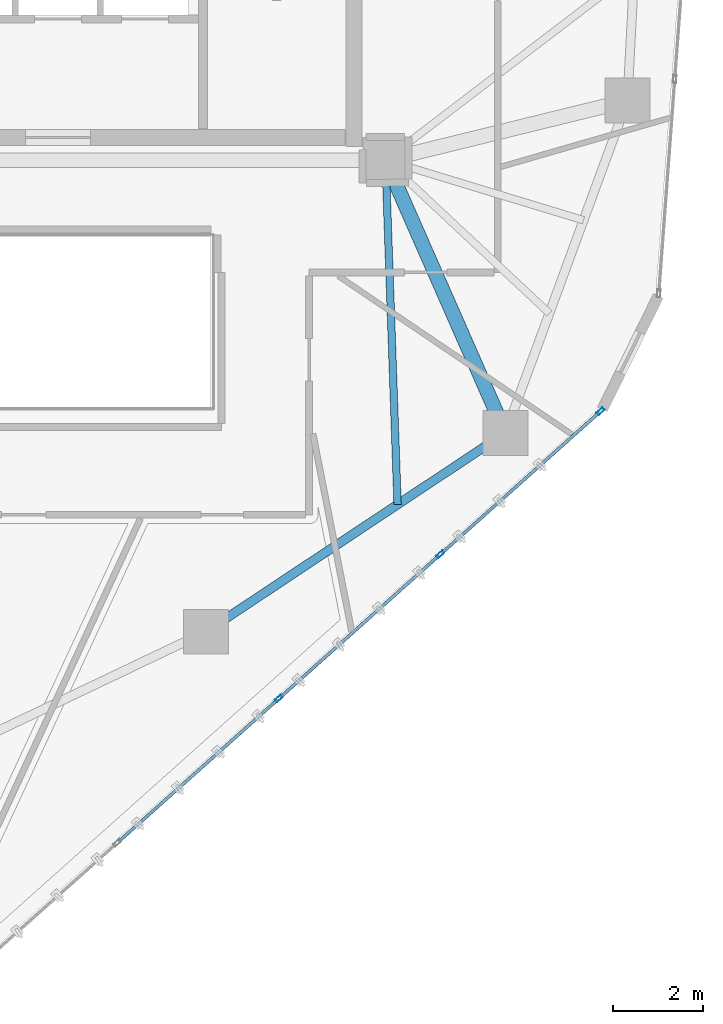
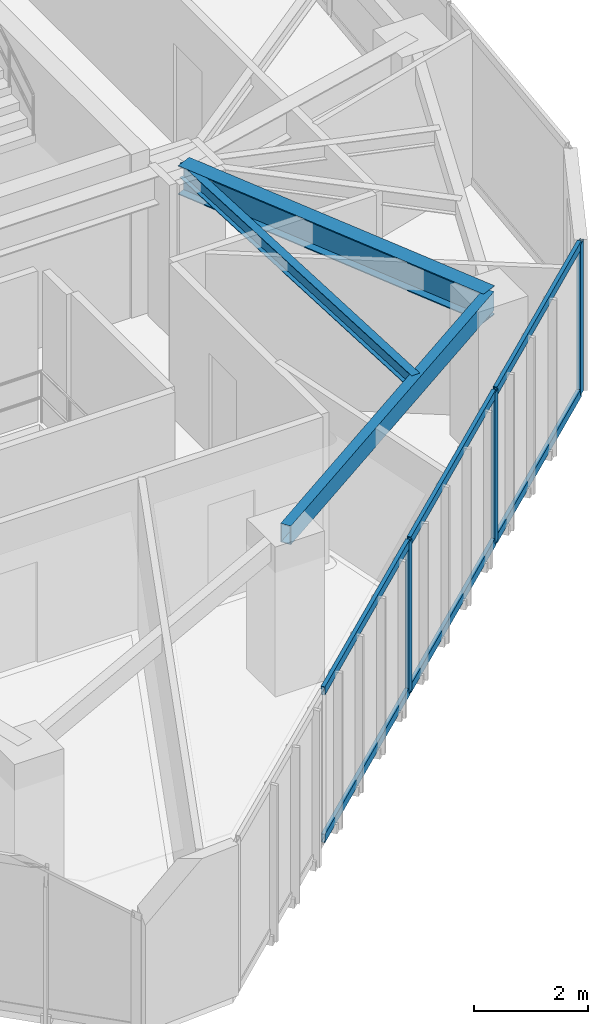
# One storey, part 5 of 19: 9 members, 3 beams, 1 element without a shape of its own.
"""IFC4 building model written with IfcOpenShell, lengths in metres."""

from ifc_helpers import new_model, si_unit, direction, frame, origin, origin_2d, place, context, subcontext, project, spatial, hollow_rectangle, i_section, extrude, source, transform, mapped, material, layer, layer_set, material_profile, profile_set, type_object, type_shapes, element, aggregate, save


model = new_model("IFC4")

# Units and contexts
model_context = context("Model", 3, precision=1e-05, world=origin(), true_north=direction((0.0, 1.0)))
body_context = subcontext(model_context, "Body", "Model", "MODEL_VIEW")
ifc_project = project(units=[si_unit("LENGTHUNIT", "METRE"), si_unit("AREAUNIT", "SQUARE_METRE"), si_unit("VOLUMEUNIT", "CUBIC_METRE"), si_unit("PLANEANGLEUNIT", "RADIAN"), si_unit("MASSUNIT", "GRAM", prefix="KILO")], contexts=[model_context])

# Site, building, storey
site_placement = place(None, origin())
site = spatial("IfcSite", under=ifc_project, at=site_placement, CompositionType="ELEMENT")
building_placement = place(site_placement, origin())
building = spatial("IfcBuilding", under=site, at=building_placement, Name="Talar Marvaseh", CompositionType="ELEMENT")
storey_placement = place(building_placement, frame((0.0, 0.0, 222.199951171875)))
storey = spatial("IfcBuildingStorey", under=building, at=storey_placement, Name="L58", CompositionType="ELEMENT", Elevation=222.199951171875)

# Beams
ifc_material_1 = material(Name="Steel S355", Category="steel")
ifc_material_profile_1 = material_profile(ifc_material_1, hollow_rectangle(XDim=0.199951171875, YDim=0.39990234375, WallThickness=0.013916015625, at=origin_2d()), Name="RHS400x200x14")
ifc_profile_set_1 = profile_set([ifc_material_profile_1], Name="Steel S355")
beam_type_1 = type_object("IfcBeamType", Name="Zone 3 Perimeter Spandrel Beam RHS400x200x14", PredefinedType="SPANDREL", material=ifc_profile_set_1)
beam_1_placement = place(storey_placement, frame((35.970947265625, 19.423095703125, 3.030029296875), z_axis=(-0.833127464163, -0.553081032452, 0.0), x_axis=(0.553081032452, -0.833127464163, 0.0)))
element("IfcBeam", 1, at=beam_1_placement, inside=storey, type_object=beam_type_1, Name="L58 Zone 3 Perimeter Spandrel Beam RHS400x200x14", PredefinedType="SPANDREL", context=body_context, shape_type="SweptSolid", body=[
    extrude(hollow_rectangle(XDim=0.199951171875, YDim=0.39990234375, WallThickness=0.013916015625, at=origin_2d()), origin(), (0.0, 0.0, 1.0), 8.00830078125),
])
ifc_material_profile_2 = material_profile(ifc_material_1, i_section(OverallWidth=0.324951171875, OverallDepth=0.615966796875, WebThickness=0.013916015625, FlangeThickness=0.021484375, at=origin_2d()), Name="W610x174")
ifc_profile_set_2 = profile_set([ifc_material_profile_2], Name="Steel S355")
beam_type_2 = type_object("IfcBeamType", Name="Zone 3 Radial Floor Girder W610x174", PredefinedType="BEAM", material=ifc_profile_set_2)
beam_2_placement = place(storey_placement, frame((35.970947265625, 19.423095703125, 2.922119140625), z_axis=(-0.402367581672, 0.91547819702, 0.0), x_axis=(-0.91547819702, -0.402367581672, 0.0)))
element("IfcBeam", 2, at=beam_2_placement, inside=storey, type_object=beam_type_2, Name="L58 Zone 3 Radial Floor Girder W610x174", PredefinedType="BEAM", context=body_context, shape_type="SweptSolid", body=[
    extrude(i_section(OverallWidth=0.324951171875, OverallDepth=0.615966796875, WebThickness=0.013916015625, FlangeThickness=0.021484375, at=origin_2d()), origin(), (0.0, 0.0, 1.0), 6.637939453125),
])
ifc_material_profile_3 = material_profile(ifc_material_1, i_section(OverallWidth=0.166015625, OverallDepth=0.31298828125, WebThickness=0.006591796875, FlangeThickness=0.01123046875, at=origin_2d()), Name="W310x45")
ifc_profile_set_3 = profile_set([ifc_material_profile_3], Name="Steel S355")
beam_type_3 = type_object("IfcBeamType", Name="Zone 3 Secondary Floor Joist W310x45", PredefinedType="JOIST", material=ifc_profile_set_3)
beam_3_placement = place(storey_placement, frame((33.569091796875, 17.82861328125, 3.073486328125), z_axis=(-0.035049421089, 0.999385580285, 0.0), x_axis=(-0.999385580285, -0.035049421089, 0.0)))
element("IfcBeam", 3, at=beam_3_placement, inside=storey, type_object=beam_type_3, Name="L58 Zone 3 Secondary Floor Joist W310x45", PredefinedType="JOIST", context=body_context, shape_type="SweptSolid", body=[
    extrude(i_section(OverallWidth=0.166015625, OverallDepth=0.31298828125, WebThickness=0.006591796875, FlangeThickness=0.01123046875, at=origin_2d()), origin(), (0.0, 0.0, 1.0), 7.676025390625),
])

# Curtain wall, members
ifc_material_2 = material(Name="Architectural Aluminium", Category="aluminium")
ifc_layer = layer(ifc_material_2, 0.18994140625)
ifc_layer_set = layer_set([ifc_layer], Name="Architectural Aluminium")
curtain_wall_type = type_object("IfcCurtainWallType", Name="Unitised Solar Atelier Curtain Wall Z3", PredefinedType="NOTDEFINED", material=ifc_layer_set)
curtain_wall_placement = place(storey_placement, origin())
curtain_wall = element("IfcCurtainWall", 4, at=curtain_wall_placement, inside=storey, type_object=curtain_wall_type, Name="L58 Unitised Solar Atelier Curtain Wall Z3", PredefinedType="NOTDEFINED")
ifc_material_profile_4 = material_profile(ifc_material_2, hollow_rectangle(XDim=0.074951171875, YDim=0.179931640625, WallThickness=0.0048828125, at=origin_2d()), Name="RHS180x75x5")
ifc_profile_set_4 = profile_set([ifc_material_profile_4], Name="Architectural Aluminium")
member_type_1 = type_object("IfcMemberType", Name="Unitised Curtain Wall Standard Mullion RHS180x75x5", PredefinedType="MULLION", material=ifc_profile_set_4)
shared_shape_1 = source(origin(), body_context, "Body", "SweptSolid", [
    extrude(hollow_rectangle(XDim=0.074951171875, YDim=0.179931640625, WallThickness=0.0048828125, at=origin_2d()), origin(), (0.0, 0.0, 1.0), 3.22998046875),
])
type_shapes(member_type_1, [shared_shape_1])
member_1_placement = place(storey_placement, frame((38.089599609375, 19.90478515625, 0.0), z_axis=(0.0, 0.0, 1.0), x_axis=(0.665997945274, -0.74595357556, 0.0)))
member_1 = element("IfcMember", 5, at=member_1_placement, type_object=member_type_1, Name="CW-Z3 mullion 1", PredefinedType="MULLION", context=body_context, shape_type="MappedRepresentation", body=[
    mapped(shared_shape_1, transform((0.0, 0.0, 0.0), x_axis=(1.0, 0.0, 0.0), y_axis=(0.0, 1.0, 0.0), z_axis=(0.0, 0.0, 1.0), scale=1.0)),
])
member_2_placement = place(storey_placement, frame((34.5205078125, 16.71826171875, 0.0), z_axis=(0.0, 0.0, 1.0), x_axis=(0.665997945274, -0.74595357556, 0.0)))
member_2 = element("IfcMember", 6, at=member_2_placement, type_object=member_type_1, Name="CW-Z3 mullion 2", PredefinedType="MULLION", context=body_context, shape_type="MappedRepresentation", body=[
    mapped(shared_shape_1, transform((0.0, 0.0, 0.0), x_axis=(1.0, 0.0, 0.0), y_axis=(0.0, 1.0, 0.0), z_axis=(0.0, 0.0, 1.0), scale=1.0)),
])
member_3_placement = place(storey_placement, frame((30.92333984375, 13.5068359375, 0.0), z_axis=(0.0, 0.0, 1.0), x_axis=(0.665997945274, -0.74595357556, 0.0)))
member_3 = element("IfcMember", 7, at=member_3_placement, type_object=member_type_1, Name="CW-Z3 mullion 3", PredefinedType="MULLION", context=body_context, shape_type="MappedRepresentation", body=[
    mapped(shared_shape_1, transform((0.0, 0.0, 0.0), x_axis=(1.0, 0.0, 0.0), y_axis=(0.0, 1.0, 0.0), z_axis=(0.0, 0.0, 1.0), scale=1.0)),
])
ifc_material_profile_5 = material_profile(ifc_material_2, hollow_rectangle(XDim=0.074951171875, YDim=0.179931640625, WallThickness=0.0048828125, at=origin_2d()), Name="RHS180x75x5")
ifc_profile_set_5 = profile_set([ifc_material_profile_5], Name="Architectural Aluminium")
member_type_2 = type_object("IfcMemberType", Name="Unitised Curtain Wall Transom RHS180x75x5", PredefinedType="USERDEFINED", material=ifc_profile_set_5)
shared_shape_2 = source(origin(), body_context, "Body", "SweptSolid", [
    extrude(hollow_rectangle(XDim=0.074951171875, YDim=0.179931640625, WallThickness=0.0048828125, at=origin_2d()), origin(), (0.0, 0.0, 1.0), 4.70947265625),
])
member_4_placement = place(storey_placement, frame((38.0615234375, 19.8798828125, 0.03759765625), z_axis=(-0.745968933684, -0.665980742949, 0.0), x_axis=(0.665980742949, -0.745968933684, 0.0)))
member_4 = element("IfcMember", 8, at=member_4_placement, type_object=member_type_2, Name="CW-Z3 transom 1.1", ObjectType="TRANSOM", PredefinedType="USERDEFINED", context=body_context, shape_type="MappedRepresentation", body=[
    mapped(shared_shape_2, transform((0.0, 0.0, 0.0), x_axis=(1.0, 0.0, 0.0), y_axis=(0.0, 1.0, 0.0), z_axis=(0.0, 0.0, 1.0), scale=1.0)),
])
member_5_placement = place(storey_placement, frame((38.0615234375, 19.8798828125, 3.192626953125), z_axis=(-0.745968933684, -0.665980742949, 0.0), x_axis=(0.665980742949, -0.745968933684, 0.0)))
member_5 = element("IfcMember", 9, at=member_5_placement, type_object=member_type_2, Name="CW-Z3 transom 1.2", ObjectType="TRANSOM", PredefinedType="USERDEFINED", context=body_context, shape_type="MappedRepresentation", body=[
    mapped(shared_shape_2, transform((0.0, 0.0, 0.0), x_axis=(1.0, 0.0, 0.0), y_axis=(0.0, 1.0, 0.0), z_axis=(0.0, 0.0, 1.0), scale=1.0)),
])
shared_shape_3 = source(origin(), body_context, "Body", "SweptSolid", [
    extrude(hollow_rectangle(XDim=0.074951171875, YDim=0.179931640625, WallThickness=0.0048828125, at=origin_2d()), origin(), (0.0, 0.0, 1.0), 4.7470703125),
])
type_shapes(member_type_2, [shared_shape_2, shared_shape_3])
member_6_placement = place(storey_placement, frame((34.492431640625, 16.693359375, 0.03759765625), z_axis=(-0.745937661626, -0.666015769309, 0.0), x_axis=(0.666015769309, -0.745937661626, 0.0)))
member_6 = element("IfcMember", 10, at=member_6_placement, type_object=member_type_2, Name="CW-Z3 transom 2.1", ObjectType="TRANSOM", PredefinedType="USERDEFINED", context=body_context, shape_type="MappedRepresentation", body=[
    mapped(shared_shape_3, transform((0.0, 0.0, 0.0), x_axis=(1.0, 0.0, 0.0), y_axis=(0.0, 1.0, 0.0), z_axis=(0.0, 0.0, 1.0), scale=1.0)),
])
member_7_placement = place(storey_placement, frame((34.492431640625, 16.693359375, 3.192626953125), z_axis=(-0.745937661626, -0.666015769309, 0.0), x_axis=(0.666015769309, -0.745937661626, 0.0)))
member_7 = element("IfcMember", 11, at=member_7_placement, type_object=member_type_2, Name="CW-Z3 transom 2.2", ObjectType="TRANSOM", PredefinedType="USERDEFINED", context=body_context, shape_type="MappedRepresentation", body=[
    mapped(shared_shape_3, transform((0.0, 0.0, 0.0), x_axis=(1.0, 0.0, 0.0), y_axis=(0.0, 1.0, 0.0), z_axis=(0.0, 0.0, 1.0), scale=1.0)),
])
member_8_placement = place(storey_placement, frame((30.8955078125, 13.48193359375, 0.03759765625), z_axis=(-0.745937661626, -0.666015769309, 0.0), x_axis=(0.666015769309, -0.745937661626, 0.0)))
member_8 = element("IfcMember", 12, at=member_8_placement, type_object=member_type_2, Name="CW-Z3 transom 3.1", ObjectType="TRANSOM", PredefinedType="USERDEFINED", context=body_context, shape_type="MappedRepresentation", body=[
    mapped(shared_shape_3, transform((0.0, 0.0, 0.0), x_axis=(1.0, 0.0, 0.0), y_axis=(0.0, 1.0, 0.0), z_axis=(0.0, 0.0, 1.0), scale=1.0)),
])
member_9_placement = place(storey_placement, frame((30.8955078125, 13.48193359375, 3.192626953125), z_axis=(-0.745937661626, -0.666015769309, 0.0), x_axis=(0.666015769309, -0.745937661626, 0.0)))
member_9 = element("IfcMember", 13, at=member_9_placement, type_object=member_type_2, Name="CW-Z3 transom 3.2", ObjectType="TRANSOM", PredefinedType="USERDEFINED", context=body_context, shape_type="MappedRepresentation", body=[
    mapped(shared_shape_3, transform((0.0, 0.0, 0.0), x_axis=(1.0, 0.0, 0.0), y_axis=(0.0, 1.0, 0.0), z_axis=(0.0, 0.0, 1.0), scale=1.0)),
])
aggregate(curtain_wall, [member_1, member_2, member_3, member_4, member_5, member_6, member_7, member_8, member_9])

save(model, "model.ifc")
